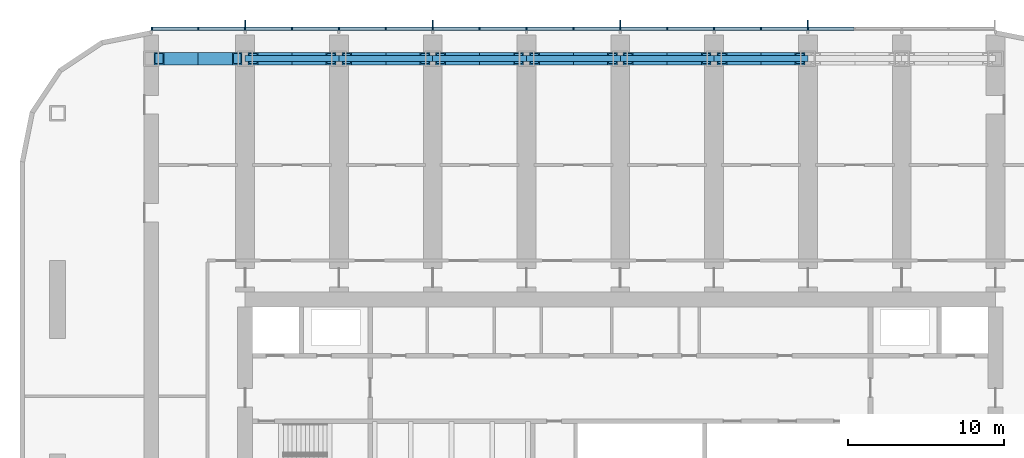
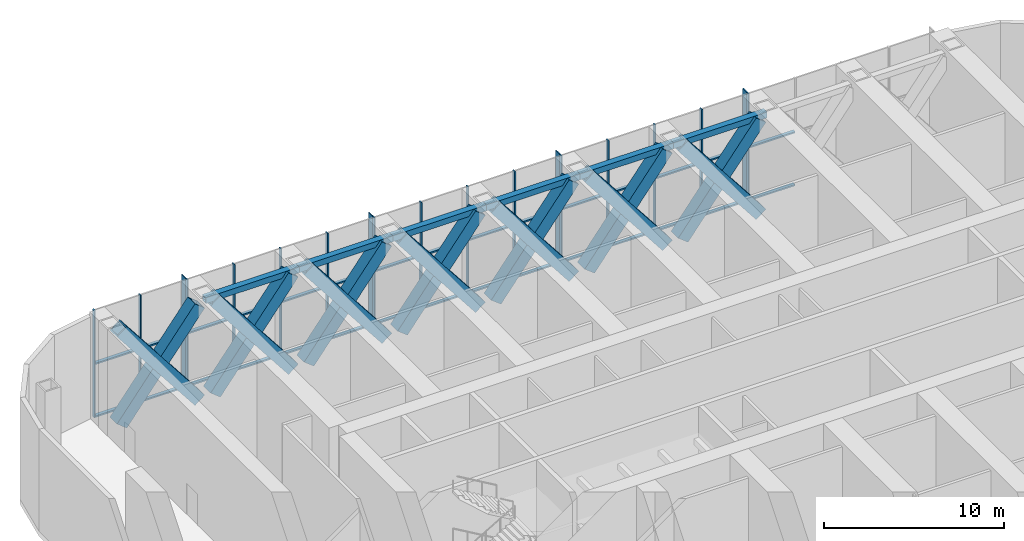
# One storey, part 4 of 22: 63 members, 6 beams, 1 element without a shape of its own.
"""IFC4 building model written with IfcOpenShell, lengths in metres."""

from ifc_helpers import new_model, si_unit, direction, frame, origin, origin_2d, place, context, subcontext, project, spatial, rectangle, hollow_rectangle, extrude, material, material_profile, profile_set, type_object, element, aggregate, save


model = new_model("IFC4")

# Units and contexts
model_context = context("Model", 3, precision=1e-05, world=origin(), true_north=direction((0.0, 1.0)))
body_context = subcontext(model_context, "Body", "Model", "MODEL_VIEW")
ifc_project = project(units=[si_unit("LENGTHUNIT", "METRE"), si_unit("AREAUNIT", "SQUARE_METRE"), si_unit("VOLUMEUNIT", "CUBIC_METRE"), si_unit("PLANEANGLEUNIT", "RADIAN"), si_unit("MASSUNIT", "GRAM", prefix="KILO")], contexts=[model_context])

# Site, building, storey
site_placement = place(None, origin())
site = spatial("IfcSite", under=ifc_project, at=site_placement, CompositionType="ELEMENT")
building_placement = place(site_placement, origin())
building = spatial("IfcBuilding", under=site, at=building_placement, Name="Orbita Commons", CompositionType="ELEMENT")
storey_placement = place(building_placement, frame((0.0, 0.0, 133.14990234375)))
storey = spatial("IfcBuildingStorey", under=building, at=storey_placement, Name="L33", CompositionType="ELEMENT", Elevation=133.14990234375)

# Members
ifc_material_1 = material(Name="Steel ASTM A572 Gr 50 welded plate", Category="steel")
ifc_material_profile_1 = material_profile(ifc_material_1, hollow_rectangle(XDim=0.800048828125, YDim=0.800048828125, WallThickness=0.080078125, at=origin_2d()), Name="BOX 800x800x80")
ifc_profile_set_1 = profile_set([ifc_material_profile_1], Name="Steel ASTM A572 Gr 50 welded plate")
member_type_1 = type_object("IfcMemberType", Name="Belt truss diagonal BOX 800x800x80", PredefinedType="BRACE", material=ifc_profile_set_1)
for number, where, z_axis, x_axis, name in (
    (1, (12.5, 53.60009765625, 0.25), (0.615635291812, 0.0, 0.788031209709), (0.0, 1.0, 0.0), "Belt truss diagonal E 3-4 rising L33"),
    (2, (12.5, 53.60009765625, 6.650146484375), (0.615635291812, 0.0, -0.788031209709), (0.0, 1.0, 0.0), "Belt truss diagonal E 3-4 falling L33"),
    (3, (18.5, 53.60009765625, 0.25), (0.615635291812, 0.0, 0.788031209709), (0.0, 1.0, 0.0), "Belt truss diagonal E 4-5 rising L33"),
    (4, (18.5, 53.60009765625, 6.650146484375), (0.615635291812, 0.0, -0.788031209709), (0.0, 1.0, 0.0), "Belt truss diagonal E 4-5 falling L33"),
    (5, (24.5, 53.60009765625, 0.25), (0.615635291812, 0.0, 0.788031209709), (0.0, 1.0, 0.0), "Belt truss diagonal E 5-6 rising L33"),
    (6, (24.5, 53.60009765625, 6.650146484375), (0.615635291812, 0.0, -0.788031209709), (0.0, 1.0, 0.0), "Belt truss diagonal E 5-6 falling L33"),
    (7, (30.5, 53.60009765625, 0.25), (0.615635291812, 0.0, 0.788031209709), (0.0, 1.0, 0.0), "Belt truss diagonal E 6-7 rising L33"),
    (8, (30.5, 53.60009765625, 6.650146484375), (0.615635291812, 0.0, -0.788031209709), (0.0, 1.0, 0.0), "Belt truss diagonal E 6-7 falling L33"),
    (9, (36.5, 53.60009765625, 0.25), (0.615635291812, 0.0, 0.788031209709), (0.0, 1.0, 0.0), "Belt truss diagonal E 7-8 rising L33"),
    (10, (36.5, 53.60009765625, 6.650146484375), (0.615635291812, 0.0, -0.788031209709), (0.0, 1.0, 0.0), "Belt truss diagonal E 7-8 falling L33"),
    (11, (42.5, 53.60009765625, 0.25), (0.615635291812, 0.0, 0.788031209709), (0.0, 1.0, 0.0), "Belt truss diagonal E 8-9 rising L33"),
    (12, (42.5, 53.60009765625, 6.650146484375), (0.615635291812, 0.0, -0.788031209709), (0.0, 1.0, 0.0), "Belt truss diagonal E 8-9 falling L33"),
    (13, (48.5, 53.60009765625, 0.25), (0.615635291812, 0.0, 0.788031209709), (0.0, 1.0, 0.0), "Belt truss diagonal E 9-10 rising L33"),
    (14, (48.5, 53.60009765625, 6.650146484375), (0.615635291812, 0.0, -0.788031209709), (0.0, 1.0, 0.0), "Belt truss diagonal E 9-10 falling L33"),
):
    element("IfcMember", number, at=place(storey_placement, frame(where, z_axis=z_axis, x_axis=x_axis)), inside=storey, type_object=member_type_1, Name=name, PredefinedType="BRACE", context=body_context, shape_type="SweptSolid", body=[
        extrude(hollow_rectangle(XDim=0.800048828125, YDim=0.800048828125, WallThickness=0.080078125, at=origin_2d()), origin(), (0.0, 0.0, 1.0), 8.12158203125),
    ])

# Curtain wall, members
ifc_material_2 = material(Name="Anodised aluminium frame, pale silver", Category="aluminium")
curtain_wall_type = type_object("IfcCurtainWallType", Name="Louvred curtain wall CW-V", PredefinedType="NOTDEFINED", material=ifc_material_2)
curtain_wall_placement = place(storey_placement, origin())
curtain_wall = element("IfcCurtainWall", 15, at=curtain_wall_placement, inside=storey, type_object=curtain_wall_type, Name="Curtain wall north L33", PredefinedType="NOTDEFINED")
ifc_material_3 = material(Name="Anodised aluminium, pale silver", Category="aluminium")
ifc_material_profile_2 = material_profile(ifc_material_3, rectangle(XDim=0.080078125, YDim=0.219970703125, at=origin_2d()), Name="AL 80x220")
ifc_profile_set_2 = profile_set([ifc_material_profile_2], Name="Anodised aluminium, pale silver")
member_type_2 = type_object("IfcMemberType", Name="Curtain wall mullion 80x220", PredefinedType="MULLION", material=ifc_profile_set_2)
member_1_placement = place(storey_placement, frame((54.0, 55.510009765625, -0.349853515625), z_axis=(0.0, 0.0, 1.0), x_axis=(-1.0, 0.0, 0.0)))
member_1 = element("IfcMember", 16, at=member_1_placement, type_object=member_type_2, Name="Mullion 5 CW-L33-N", PredefinedType="MULLION", context=body_context, shape_type="SweptSolid", body=[
    extrude(rectangle(XDim=0.080078125, YDim=0.219970703125, at=origin_2d()), origin(), (0.0, 0.0, 1.0), 7.25),
])
member_2_placement = place(storey_placement, frame((51.0, 55.510009765625, -0.349853515625), z_axis=(0.0, 0.0, 1.0), x_axis=(-1.0, 0.0, 0.0)))
member_2 = element("IfcMember", 17, at=member_2_placement, type_object=member_type_2, Name="Mullion 6 CW-L33-N", PredefinedType="MULLION", context=body_context, shape_type="SweptSolid", body=[
    extrude(rectangle(XDim=0.080078125, YDim=0.219970703125, at=origin_2d()), origin(), (0.0, 0.0, 1.0), 7.25),
])
member_3_placement = place(storey_placement, frame((48.0, 55.510009765625, -0.349853515625), z_axis=(0.0, 0.0, 1.0), x_axis=(-1.0, 0.0, 0.0)))
member_3 = element("IfcMember", 18, at=member_3_placement, type_object=member_type_2, Name="Mullion 7 CW-L33-N", PredefinedType="MULLION", context=body_context, shape_type="SweptSolid", body=[
    extrude(rectangle(XDim=0.080078125, YDim=0.219970703125, at=origin_2d()), origin(), (0.0, 0.0, 1.0), 7.25),
])
member_4_placement = place(storey_placement, frame((45.0, 55.510009765625, -0.349853515625), z_axis=(0.0, 0.0, 1.0), x_axis=(-1.0, 0.0, 0.0)))
member_4 = element("IfcMember", 19, at=member_4_placement, type_object=member_type_2, Name="Mullion 8 CW-L33-N", PredefinedType="MULLION", context=body_context, shape_type="SweptSolid", body=[
    extrude(rectangle(XDim=0.080078125, YDim=0.219970703125, at=origin_2d()), origin(), (0.0, 0.0, 1.0), 7.25),
])
member_5_placement = place(storey_placement, frame((42.0, 55.510009765625, -0.349853515625), z_axis=(0.0, 0.0, 1.0), x_axis=(-1.0, 0.0, 0.0)))
member_5 = element("IfcMember", 20, at=member_5_placement, type_object=member_type_2, Name="Mullion 9 CW-L33-N", PredefinedType="MULLION", context=body_context, shape_type="SweptSolid", body=[
    extrude(rectangle(XDim=0.080078125, YDim=0.219970703125, at=origin_2d()), origin(), (0.0, 0.0, 1.0), 7.25),
])
member_6_placement = place(storey_placement, frame((39.0, 55.510009765625, -0.349853515625), z_axis=(0.0, 0.0, 1.0), x_axis=(-1.0, 0.0, 0.0)))
member_6 = element("IfcMember", 21, at=member_6_placement, type_object=member_type_2, Name="Mullion 10 CW-L33-N", PredefinedType="MULLION", context=body_context, shape_type="SweptSolid", body=[
    extrude(rectangle(XDim=0.080078125, YDim=0.219970703125, at=origin_2d()), origin(), (0.0, 0.0, 1.0), 7.25),
])
member_7_placement = place(storey_placement, frame((36.0, 55.510009765625, -0.349853515625), z_axis=(0.0, 0.0, 1.0), x_axis=(-1.0, 0.0, 0.0)))
member_7 = element("IfcMember", 22, at=member_7_placement, type_object=member_type_2, Name="Mullion 11 CW-L33-N", PredefinedType="MULLION", context=body_context, shape_type="SweptSolid", body=[
    extrude(rectangle(XDim=0.080078125, YDim=0.219970703125, at=origin_2d()), origin(), (0.0, 0.0, 1.0), 7.25),
])
member_8_placement = place(storey_placement, frame((33.0, 55.510009765625, -0.349853515625), z_axis=(0.0, 0.0, 1.0), x_axis=(-1.0, 0.0, 0.0)))
member_8 = element("IfcMember", 23, at=member_8_placement, type_object=member_type_2, Name="Mullion 12 CW-L33-N", PredefinedType="MULLION", context=body_context, shape_type="SweptSolid", body=[
    extrude(rectangle(XDim=0.080078125, YDim=0.219970703125, at=origin_2d()), origin(), (0.0, 0.0, 1.0), 7.25),
])
member_9_placement = place(storey_placement, frame((30.0, 55.510009765625, -0.349853515625), z_axis=(0.0, 0.0, 1.0), x_axis=(-1.0, 0.0, 0.0)))
member_9 = element("IfcMember", 24, at=member_9_placement, type_object=member_type_2, Name="Mullion 13 CW-L33-N", PredefinedType="MULLION", context=body_context, shape_type="SweptSolid", body=[
    extrude(rectangle(XDim=0.080078125, YDim=0.219970703125, at=origin_2d()), origin(), (0.0, 0.0, 1.0), 7.25),
])
member_10_placement = place(storey_placement, frame((27.0, 55.510009765625, -0.349853515625), z_axis=(0.0, 0.0, 1.0), x_axis=(-1.0, 0.0, 0.0)))
member_10 = element("IfcMember", 25, at=member_10_placement, type_object=member_type_2, Name="Mullion 14 CW-L33-N", PredefinedType="MULLION", context=body_context, shape_type="SweptSolid", body=[
    extrude(rectangle(XDim=0.080078125, YDim=0.219970703125, at=origin_2d()), origin(), (0.0, 0.0, 1.0), 7.25),
])
member_11_placement = place(storey_placement, frame((24.0, 55.510009765625, -0.349853515625), z_axis=(0.0, 0.0, 1.0), x_axis=(-1.0, 0.0, 0.0)))
member_11 = element("IfcMember", 26, at=member_11_placement, type_object=member_type_2, Name="Mullion 15 CW-L33-N", PredefinedType="MULLION", context=body_context, shape_type="SweptSolid", body=[
    extrude(rectangle(XDim=0.080078125, YDim=0.219970703125, at=origin_2d()), origin(), (0.0, 0.0, 1.0), 7.25),
])
member_12_placement = place(storey_placement, frame((21.0, 55.510009765625, -0.349853515625), z_axis=(0.0, 0.0, 1.0), x_axis=(-1.0, 0.0, 0.0)))
member_12 = element("IfcMember", 27, at=member_12_placement, type_object=member_type_2, Name="Mullion 16 CW-L33-N", PredefinedType="MULLION", context=body_context, shape_type="SweptSolid", body=[
    extrude(rectangle(XDim=0.080078125, YDim=0.219970703125, at=origin_2d()), origin(), (0.0, 0.0, 1.0), 7.25),
])
member_13_placement = place(storey_placement, frame((18.0, 55.510009765625, -0.349853515625), z_axis=(0.0, 0.0, 1.0), x_axis=(-1.0, 0.0, 0.0)))
member_13 = element("IfcMember", 28, at=member_13_placement, type_object=member_type_2, Name="Mullion 17 CW-L33-N", PredefinedType="MULLION", context=body_context, shape_type="SweptSolid", body=[
    extrude(rectangle(XDim=0.080078125, YDim=0.219970703125, at=origin_2d()), origin(), (0.0, 0.0, 1.0), 7.25),
])
member_14_placement = place(storey_placement, frame((15.0, 55.510009765625, -0.349853515625), z_axis=(0.0, 0.0, 1.0), x_axis=(-1.0, 0.0, 0.0)))
member_14 = element("IfcMember", 29, at=member_14_placement, type_object=member_type_2, Name="Mullion 18 CW-L33-N", PredefinedType="MULLION", context=body_context, shape_type="SweptSolid", body=[
    extrude(rectangle(XDim=0.080078125, YDim=0.219970703125, at=origin_2d()), origin(), (0.0, 0.0, 1.0), 7.25),
])
member_15_placement = place(storey_placement, frame((12.0400390625, 55.510009765625, -0.349853515625), z_axis=(0.0, 0.0, 1.0), x_axis=(-1.0, 0.0, 0.0)))
member_15 = element("IfcMember", 30, at=member_15_placement, type_object=member_type_2, Name="Mullion 19 CW-L33-N", PredefinedType="MULLION", context=body_context, shape_type="SweptSolid", body=[
    extrude(rectangle(XDim=0.080078125, YDim=0.219970703125, at=origin_2d()), origin(), (0.0, 0.0, 1.0), 7.25),
])
ifc_material_4 = material(Name="Anodised aluminium, pale silver", Category="aluminium")
ifc_material_profile_3 = material_profile(ifc_material_4, rectangle(XDim=0.219970703125, YDim=0.10009765625, at=origin_2d()), Name="AL 220x100")
ifc_profile_set_3 = profile_set([ifc_material_profile_3], Name="Anodised aluminium, pale silver")
member_type_3 = type_object("IfcMemberType", Name="Curtain wall stack transom 220x100", PredefinedType="USERDEFINED", material=ifc_profile_set_3)
member_16_placement = place(storey_placement, frame((56.9599609375, 55.510009765625, -0.2998046875), z_axis=(-1.0, 0.0, 0.0), x_axis=(0.0, -1.0, 0.0)))
member_16 = element("IfcMember", 31, at=member_16_placement, type_object=member_type_3, Name="Transom 4.1 CW-L33-N", ObjectType="TRANSOM", PredefinedType="USERDEFINED", context=body_context, shape_type="SweptSolid", body=[
    extrude(rectangle(XDim=0.219970703125, YDim=0.10009765625, at=origin_2d()), origin(), (0.0, 0.0, 1.0), 2.919921875),
])
member_17_placement = place(storey_placement, frame((56.9599609375, 55.510009765625, 3.275146484375), z_axis=(-1.0, 0.0, 0.0), x_axis=(0.0, -1.0, 0.0)))
member_17 = element("IfcMember", 32, at=member_17_placement, type_object=member_type_3, Name="Transom 4.2 CW-L33-N", ObjectType="TRANSOM", PredefinedType="USERDEFINED", context=body_context, shape_type="SweptSolid", body=[
    extrude(rectangle(XDim=0.219970703125, YDim=0.10009765625, at=origin_2d()), origin(), (0.0, 0.0, 1.0), 2.919921875),
])
member_18_placement = place(storey_placement, frame((53.9599609375, 55.510009765625, -0.2998046875), z_axis=(-1.0, 0.0, 0.0), x_axis=(0.0, -1.0, 0.0)))
member_18 = element("IfcMember", 33, at=member_18_placement, type_object=member_type_3, Name="Transom 5.1 CW-L33-N", ObjectType="TRANSOM", PredefinedType="USERDEFINED", context=body_context, shape_type="SweptSolid", body=[
    extrude(rectangle(XDim=0.219970703125, YDim=0.10009765625, at=origin_2d()), origin(), (0.0, 0.0, 1.0), 2.919921875),
])
member_19_placement = place(storey_placement, frame((53.9599609375, 55.510009765625, 3.275146484375), z_axis=(-1.0, 0.0, 0.0), x_axis=(0.0, -1.0, 0.0)))
member_19 = element("IfcMember", 34, at=member_19_placement, type_object=member_type_3, Name="Transom 5.2 CW-L33-N", ObjectType="TRANSOM", PredefinedType="USERDEFINED", context=body_context, shape_type="SweptSolid", body=[
    extrude(rectangle(XDim=0.219970703125, YDim=0.10009765625, at=origin_2d()), origin(), (0.0, 0.0, 1.0), 2.919921875),
])
member_20_placement = place(storey_placement, frame((50.9599609375, 55.510009765625, -0.2998046875), z_axis=(-1.0, 0.0, 0.0), x_axis=(0.0, -1.0, 0.0)))
member_20 = element("IfcMember", 35, at=member_20_placement, type_object=member_type_3, Name="Transom 6.1 CW-L33-N", ObjectType="TRANSOM", PredefinedType="USERDEFINED", context=body_context, shape_type="SweptSolid", body=[
    extrude(rectangle(XDim=0.219970703125, YDim=0.10009765625, at=origin_2d()), origin(), (0.0, 0.0, 1.0), 2.919921875),
])
member_21_placement = place(storey_placement, frame((50.9599609375, 55.510009765625, 3.275146484375), z_axis=(-1.0, 0.0, 0.0), x_axis=(0.0, -1.0, 0.0)))
member_21 = element("IfcMember", 36, at=member_21_placement, type_object=member_type_3, Name="Transom 6.2 CW-L33-N", ObjectType="TRANSOM", PredefinedType="USERDEFINED", context=body_context, shape_type="SweptSolid", body=[
    extrude(rectangle(XDim=0.219970703125, YDim=0.10009765625, at=origin_2d()), origin(), (0.0, 0.0, 1.0), 2.919921875),
])
member_22_placement = place(storey_placement, frame((47.9599609375, 55.510009765625, -0.2998046875), z_axis=(-1.0, 0.0, 0.0), x_axis=(0.0, -1.0, 0.0)))
member_22 = element("IfcMember", 37, at=member_22_placement, type_object=member_type_3, Name="Transom 7.1 CW-L33-N", ObjectType="TRANSOM", PredefinedType="USERDEFINED", context=body_context, shape_type="SweptSolid", body=[
    extrude(rectangle(XDim=0.219970703125, YDim=0.10009765625, at=origin_2d()), origin(), (0.0, 0.0, 1.0), 2.919921875),
])
member_23_placement = place(storey_placement, frame((47.9599609375, 55.510009765625, 3.275146484375), z_axis=(-1.0, 0.0, 0.0), x_axis=(0.0, -1.0, 0.0)))
member_23 = element("IfcMember", 38, at=member_23_placement, type_object=member_type_3, Name="Transom 7.2 CW-L33-N", ObjectType="TRANSOM", PredefinedType="USERDEFINED", context=body_context, shape_type="SweptSolid", body=[
    extrude(rectangle(XDim=0.219970703125, YDim=0.10009765625, at=origin_2d()), origin(), (0.0, 0.0, 1.0), 2.919921875),
])
member_24_placement = place(storey_placement, frame((44.9599609375, 55.510009765625, -0.2998046875), z_axis=(-1.0, 0.0, 0.0), x_axis=(0.0, -1.0, 0.0)))
member_24 = element("IfcMember", 39, at=member_24_placement, type_object=member_type_3, Name="Transom 8.1 CW-L33-N", ObjectType="TRANSOM", PredefinedType="USERDEFINED", context=body_context, shape_type="SweptSolid", body=[
    extrude(rectangle(XDim=0.219970703125, YDim=0.10009765625, at=origin_2d()), origin(), (0.0, 0.0, 1.0), 2.919921875),
])
member_25_placement = place(storey_placement, frame((44.9599609375, 55.510009765625, 3.275146484375), z_axis=(-1.0, 0.0, 0.0), x_axis=(0.0, -1.0, 0.0)))
member_25 = element("IfcMember", 40, at=member_25_placement, type_object=member_type_3, Name="Transom 8.2 CW-L33-N", ObjectType="TRANSOM", PredefinedType="USERDEFINED", context=body_context, shape_type="SweptSolid", body=[
    extrude(rectangle(XDim=0.219970703125, YDim=0.10009765625, at=origin_2d()), origin(), (0.0, 0.0, 1.0), 2.919921875),
])
member_26_placement = place(storey_placement, frame((41.9599609375, 55.510009765625, -0.2998046875), z_axis=(-1.0, 0.0, 0.0), x_axis=(0.0, -1.0, 0.0)))
member_26 = element("IfcMember", 41, at=member_26_placement, type_object=member_type_3, Name="Transom 9.1 CW-L33-N", ObjectType="TRANSOM", PredefinedType="USERDEFINED", context=body_context, shape_type="SweptSolid", body=[
    extrude(rectangle(XDim=0.219970703125, YDim=0.10009765625, at=origin_2d()), origin(), (0.0, 0.0, 1.0), 2.919921875),
])
member_27_placement = place(storey_placement, frame((41.9599609375, 55.510009765625, 3.275146484375), z_axis=(-1.0, 0.0, 0.0), x_axis=(0.0, -1.0, 0.0)))
member_27 = element("IfcMember", 42, at=member_27_placement, type_object=member_type_3, Name="Transom 9.2 CW-L33-N", ObjectType="TRANSOM", PredefinedType="USERDEFINED", context=body_context, shape_type="SweptSolid", body=[
    extrude(rectangle(XDim=0.219970703125, YDim=0.10009765625, at=origin_2d()), origin(), (0.0, 0.0, 1.0), 2.919921875),
])
member_28_placement = place(storey_placement, frame((38.9599609375, 55.510009765625, -0.2998046875), z_axis=(-1.0, 0.0, 0.0), x_axis=(0.0, -1.0, 0.0)))
member_28 = element("IfcMember", 43, at=member_28_placement, type_object=member_type_3, Name="Transom 10.1 CW-L33-N", ObjectType="TRANSOM", PredefinedType="USERDEFINED", context=body_context, shape_type="SweptSolid", body=[
    extrude(rectangle(XDim=0.219970703125, YDim=0.10009765625, at=origin_2d()), origin(), (0.0, 0.0, 1.0), 2.919921875),
])
member_29_placement = place(storey_placement, frame((38.9599609375, 55.510009765625, 3.275146484375), z_axis=(-1.0, 0.0, 0.0), x_axis=(0.0, -1.0, 0.0)))
member_29 = element("IfcMember", 44, at=member_29_placement, type_object=member_type_3, Name="Transom 10.2 CW-L33-N", ObjectType="TRANSOM", PredefinedType="USERDEFINED", context=body_context, shape_type="SweptSolid", body=[
    extrude(rectangle(XDim=0.219970703125, YDim=0.10009765625, at=origin_2d()), origin(), (0.0, 0.0, 1.0), 2.919921875),
])
member_30_placement = place(storey_placement, frame((35.9599609375, 55.510009765625, -0.2998046875), z_axis=(-1.0, 0.0, 0.0), x_axis=(0.0, -1.0, 0.0)))
member_30 = element("IfcMember", 45, at=member_30_placement, type_object=member_type_3, Name="Transom 11.1 CW-L33-N", ObjectType="TRANSOM", PredefinedType="USERDEFINED", context=body_context, shape_type="SweptSolid", body=[
    extrude(rectangle(XDim=0.219970703125, YDim=0.10009765625, at=origin_2d()), origin(), (0.0, 0.0, 1.0), 2.919921875),
])
member_31_placement = place(storey_placement, frame((35.9599609375, 55.510009765625, 3.275146484375), z_axis=(-1.0, 0.0, 0.0), x_axis=(0.0, -1.0, 0.0)))
member_31 = element("IfcMember", 46, at=member_31_placement, type_object=member_type_3, Name="Transom 11.2 CW-L33-N", ObjectType="TRANSOM", PredefinedType="USERDEFINED", context=body_context, shape_type="SweptSolid", body=[
    extrude(rectangle(XDim=0.219970703125, YDim=0.10009765625, at=origin_2d()), origin(), (0.0, 0.0, 1.0), 2.919921875),
])
member_32_placement = place(storey_placement, frame((32.9599609375, 55.510009765625, -0.2998046875), z_axis=(-1.0, 0.0, 0.0), x_axis=(0.0, -1.0, 0.0)))
member_32 = element("IfcMember", 47, at=member_32_placement, type_object=member_type_3, Name="Transom 12.1 CW-L33-N", ObjectType="TRANSOM", PredefinedType="USERDEFINED", context=body_context, shape_type="SweptSolid", body=[
    extrude(rectangle(XDim=0.219970703125, YDim=0.10009765625, at=origin_2d()), origin(), (0.0, 0.0, 1.0), 2.919921875),
])
member_33_placement = place(storey_placement, frame((32.9599609375, 55.510009765625, 3.275146484375), z_axis=(-1.0, 0.0, 0.0), x_axis=(0.0, -1.0, 0.0)))
member_33 = element("IfcMember", 48, at=member_33_placement, type_object=member_type_3, Name="Transom 12.2 CW-L33-N", ObjectType="TRANSOM", PredefinedType="USERDEFINED", context=body_context, shape_type="SweptSolid", body=[
    extrude(rectangle(XDim=0.219970703125, YDim=0.10009765625, at=origin_2d()), origin(), (0.0, 0.0, 1.0), 2.919921875),
])
member_34_placement = place(storey_placement, frame((29.9599609375, 55.510009765625, -0.2998046875), z_axis=(-1.0, 0.0, 0.0), x_axis=(0.0, -1.0, 0.0)))
member_34 = element("IfcMember", 49, at=member_34_placement, type_object=member_type_3, Name="Transom 13.1 CW-L33-N", ObjectType="TRANSOM", PredefinedType="USERDEFINED", context=body_context, shape_type="SweptSolid", body=[
    extrude(rectangle(XDim=0.219970703125, YDim=0.10009765625, at=origin_2d()), origin(), (0.0, 0.0, 1.0), 2.919921875),
])
member_35_placement = place(storey_placement, frame((29.9599609375, 55.510009765625, 3.275146484375), z_axis=(-1.0, 0.0, 0.0), x_axis=(0.0, -1.0, 0.0)))
member_35 = element("IfcMember", 50, at=member_35_placement, type_object=member_type_3, Name="Transom 13.2 CW-L33-N", ObjectType="TRANSOM", PredefinedType="USERDEFINED", context=body_context, shape_type="SweptSolid", body=[
    extrude(rectangle(XDim=0.219970703125, YDim=0.10009765625, at=origin_2d()), origin(), (0.0, 0.0, 1.0), 2.919921875),
])
member_36_placement = place(storey_placement, frame((26.9599609375, 55.510009765625, -0.2998046875), z_axis=(-1.0, 0.0, 0.0), x_axis=(0.0, -1.0, 0.0)))
member_36 = element("IfcMember", 51, at=member_36_placement, type_object=member_type_3, Name="Transom 14.1 CW-L33-N", ObjectType="TRANSOM", PredefinedType="USERDEFINED", context=body_context, shape_type="SweptSolid", body=[
    extrude(rectangle(XDim=0.219970703125, YDim=0.10009765625, at=origin_2d()), origin(), (0.0, 0.0, 1.0), 2.919921875),
])
member_37_placement = place(storey_placement, frame((26.9599609375, 55.510009765625, 3.275146484375), z_axis=(-1.0, 0.0, 0.0), x_axis=(0.0, -1.0, 0.0)))
member_37 = element("IfcMember", 52, at=member_37_placement, type_object=member_type_3, Name="Transom 14.2 CW-L33-N", ObjectType="TRANSOM", PredefinedType="USERDEFINED", context=body_context, shape_type="SweptSolid", body=[
    extrude(rectangle(XDim=0.219970703125, YDim=0.10009765625, at=origin_2d()), origin(), (0.0, 0.0, 1.0), 2.919921875),
])
member_38_placement = place(storey_placement, frame((23.9599609375, 55.510009765625, -0.2998046875), z_axis=(-1.0, 0.0, 0.0), x_axis=(0.0, -1.0, 0.0)))
member_38 = element("IfcMember", 53, at=member_38_placement, type_object=member_type_3, Name="Transom 15.1 CW-L33-N", ObjectType="TRANSOM", PredefinedType="USERDEFINED", context=body_context, shape_type="SweptSolid", body=[
    extrude(rectangle(XDim=0.219970703125, YDim=0.10009765625, at=origin_2d()), origin(), (0.0, 0.0, 1.0), 2.919921875),
])
member_39_placement = place(storey_placement, frame((23.9599609375, 55.510009765625, 3.275146484375), z_axis=(-1.0, 0.0, 0.0), x_axis=(0.0, -1.0, 0.0)))
member_39 = element("IfcMember", 54, at=member_39_placement, type_object=member_type_3, Name="Transom 15.2 CW-L33-N", ObjectType="TRANSOM", PredefinedType="USERDEFINED", context=body_context, shape_type="SweptSolid", body=[
    extrude(rectangle(XDim=0.219970703125, YDim=0.10009765625, at=origin_2d()), origin(), (0.0, 0.0, 1.0), 2.919921875),
])
member_40_placement = place(storey_placement, frame((20.9599609375, 55.510009765625, -0.2998046875), z_axis=(-1.0, 0.0, 0.0), x_axis=(0.0, -1.0, 0.0)))
member_40 = element("IfcMember", 55, at=member_40_placement, type_object=member_type_3, Name="Transom 16.1 CW-L33-N", ObjectType="TRANSOM", PredefinedType="USERDEFINED", context=body_context, shape_type="SweptSolid", body=[
    extrude(rectangle(XDim=0.219970703125, YDim=0.10009765625, at=origin_2d()), origin(), (0.0, 0.0, 1.0), 2.919921875),
])
member_41_placement = place(storey_placement, frame((20.9599609375, 55.510009765625, 3.275146484375), z_axis=(-1.0, 0.0, 0.0), x_axis=(0.0, -1.0, 0.0)))
member_41 = element("IfcMember", 56, at=member_41_placement, type_object=member_type_3, Name="Transom 16.2 CW-L33-N", ObjectType="TRANSOM", PredefinedType="USERDEFINED", context=body_context, shape_type="SweptSolid", body=[
    extrude(rectangle(XDim=0.219970703125, YDim=0.10009765625, at=origin_2d()), origin(), (0.0, 0.0, 1.0), 2.919921875),
])
member_42_placement = place(storey_placement, frame((17.9599609375, 55.510009765625, -0.2998046875), z_axis=(-1.0, 0.0, 0.0), x_axis=(0.0, -1.0, 0.0)))
member_42 = element("IfcMember", 57, at=member_42_placement, type_object=member_type_3, Name="Transom 17.1 CW-L33-N", ObjectType="TRANSOM", PredefinedType="USERDEFINED", context=body_context, shape_type="SweptSolid", body=[
    extrude(rectangle(XDim=0.219970703125, YDim=0.10009765625, at=origin_2d()), origin(), (0.0, 0.0, 1.0), 2.919921875),
])
member_43_placement = place(storey_placement, frame((17.9599609375, 55.510009765625, 3.275146484375), z_axis=(-1.0, 0.0, 0.0), x_axis=(0.0, -1.0, 0.0)))
member_43 = element("IfcMember", 58, at=member_43_placement, type_object=member_type_3, Name="Transom 17.2 CW-L33-N", ObjectType="TRANSOM", PredefinedType="USERDEFINED", context=body_context, shape_type="SweptSolid", body=[
    extrude(rectangle(XDim=0.219970703125, YDim=0.10009765625, at=origin_2d()), origin(), (0.0, 0.0, 1.0), 2.919921875),
])
member_44_placement = place(storey_placement, frame((14.9599609375, 55.510009765625, -0.2998046875), z_axis=(-1.0, 0.0, 0.0), x_axis=(0.0, -1.0, 0.0)))
member_44 = element("IfcMember", 59, at=member_44_placement, type_object=member_type_3, Name="Transom 18.1 CW-L33-N", ObjectType="TRANSOM", PredefinedType="USERDEFINED", context=body_context, shape_type="SweptSolid", body=[
    extrude(rectangle(XDim=0.219970703125, YDim=0.10009765625, at=origin_2d()), origin(), (0.0, 0.0, 1.0), 2.8798828125),
])
member_45_placement = place(storey_placement, frame((14.9599609375, 55.510009765625, 3.275146484375), z_axis=(-1.0, 0.0, 0.0), x_axis=(0.0, -1.0, 0.0)))
member_45 = element("IfcMember", 60, at=member_45_placement, type_object=member_type_3, Name="Transom 18.2 CW-L33-N", ObjectType="TRANSOM", PredefinedType="USERDEFINED", context=body_context, shape_type="SweptSolid", body=[
    extrude(rectangle(XDim=0.219970703125, YDim=0.10009765625, at=origin_2d()), origin(), (0.0, 0.0, 1.0), 2.8798828125),
])

# Beams
ifc_material_5 = material(Name="Steel ASTM A572 Gr 50 welded plate", Category="steel")
ifc_material_profile_4 = material_profile(ifc_material_5, hollow_rectangle(XDim=0.39990234375, YDim=0.39990234375, WallThickness=0.0400390625, at=origin_2d()), Name="BOX 400x400x40")
ifc_profile_set_4 = profile_set([ifc_material_profile_4], Name="Steel ASTM A572 Gr 50 welded plate")
beam_type = type_object("IfcBeamType", Name="Steel spandrel BOX 400x400x40", PredefinedType="SPANDREL", material=ifc_profile_set_4)
for number, where, z_axis, x_axis, name in (
    (61, (18.0, 53.60009765625, 6.7001953125), (1.0, 0.0, 0.0), (0.0, 1.0, 0.0), "Spandrel beam E 4-5 L33"),
    (62, (24.0, 53.60009765625, 6.7001953125), (1.0, 0.0, 0.0), (0.0, 1.0, 0.0), "Spandrel beam E 5-6 L33"),
    (63, (30.0, 53.60009765625, 6.7001953125), (1.0, 0.0, 0.0), (0.0, 1.0, 0.0), "Spandrel beam E 6-7 L33"),
    (64, (36.0, 53.60009765625, 6.7001953125), (1.0, 0.0, 0.0), (0.0, 1.0, 0.0), "Spandrel beam E 7-8 L33"),
    (65, (42.0, 53.60009765625, 6.7001953125), (1.0, 0.0, 0.0), (0.0, 1.0, 0.0), "Spandrel beam E 8-9 L33"),
    (66, (48.0, 53.60009765625, 6.7001953125), (1.0, 0.0, 0.0), (0.0, 1.0, 0.0), "Spandrel beam E 9-10 L33"),
):
    element("IfcBeam", number, at=place(storey_placement, frame(where, z_axis=z_axis, x_axis=x_axis)), inside=storey, type_object=beam_type, Name=name, PredefinedType="SPANDREL", context=body_context, shape_type="SweptSolid", body=[
        extrude(hollow_rectangle(XDim=0.39990234375, YDim=0.39990234375, WallThickness=0.0400390625, at=origin_2d()), origin(), (0.0, 0.0, 1.0), 6.0),
    ])

# Member
ifc_material_6 = material(Name="Anodised aluminium, pale silver", Category="aluminium")
ifc_material_profile_5 = material_profile(ifc_material_6, rectangle(XDim=0.06005859375, YDim=0.449951171875, at=origin_2d()), Name="FIN 60x450")
ifc_profile_set_5 = profile_set([ifc_material_profile_5], Name="Anodised aluminium, pale silver")
member_type_4 = type_object("IfcMemberType", Name="Vertical fin 60x450 pale aluminium", PredefinedType="USERDEFINED", material=ifc_profile_set_5)
member_46_placement = place(storey_placement, frame((54.0, 55.844970703125, -0.349853515625), z_axis=(0.0, 0.0, 1.0), x_axis=(-1.0, 0.0, 0.0)))
member_46 = element("IfcMember", 67, at=member_46_placement, type_object=member_type_4, Name="Fin 5 CW-L33-N", ObjectType="FIN", PredefinedType="USERDEFINED", context=body_context, shape_type="SweptSolid", body=[
    extrude(rectangle(XDim=0.06005859375, YDim=0.449951171875, at=origin_2d()), origin(), (0.0, 0.0, 1.0), 7.25),
])

member_47_placement = place(storey_placement, frame((42.0, 55.844970703125, -0.349853515625), z_axis=(0.0, 0.0, 1.0), x_axis=(-1.0, 0.0, 0.0)))
member_47 = element("IfcMember", 68, at=member_47_placement, type_object=member_type_4, Name="Fin 9 CW-L33-N", ObjectType="FIN", PredefinedType="USERDEFINED", context=body_context, shape_type="SweptSolid", body=[
    extrude(rectangle(XDim=0.06005859375, YDim=0.449951171875, at=origin_2d()), origin(), (0.0, 0.0, 1.0), 7.25),
])

member_48_placement = place(storey_placement, frame((30.0, 55.844970703125, -0.349853515625), z_axis=(0.0, 0.0, 1.0), x_axis=(-1.0, 0.0, 0.0)))
member_48 = element("IfcMember", 69, at=member_48_placement, type_object=member_type_4, Name="Fin 13 CW-L33-N", ObjectType="FIN", PredefinedType="USERDEFINED", context=body_context, shape_type="SweptSolid", body=[
    extrude(rectangle(XDim=0.06005859375, YDim=0.449951171875, at=origin_2d()), origin(), (0.0, 0.0, 1.0), 7.25),
])

member_49_placement = place(storey_placement, frame((18.0, 55.844970703125, -0.349853515625), z_axis=(0.0, 0.0, 1.0), x_axis=(-1.0, 0.0, 0.0)))
member_49 = element("IfcMember", 70, at=member_49_placement, type_object=member_type_4, Name="Fin 17 CW-L33-N", ObjectType="FIN", PredefinedType="USERDEFINED", context=body_context, shape_type="SweptSolid", body=[
    extrude(rectangle(XDim=0.06005859375, YDim=0.449951171875, at=origin_2d()), origin(), (0.0, 0.0, 1.0), 7.25),
])

aggregate(curtain_wall, [member_1, member_46, member_2, member_3, member_4, member_5, member_47, member_6, member_7, member_8, member_9, member_48, member_10, member_11, member_12, member_13, member_49, member_14, member_15, member_16, member_17, member_18, member_19, member_20, member_21, member_22, member_23, member_24, member_25, member_26, member_27, member_28, member_29, member_30, member_31, member_32, member_33, member_34, member_35, member_36, member_37, member_38, member_39, member_40, member_41, member_42, member_43, member_44, member_45])

save(model, "model.ifc")
